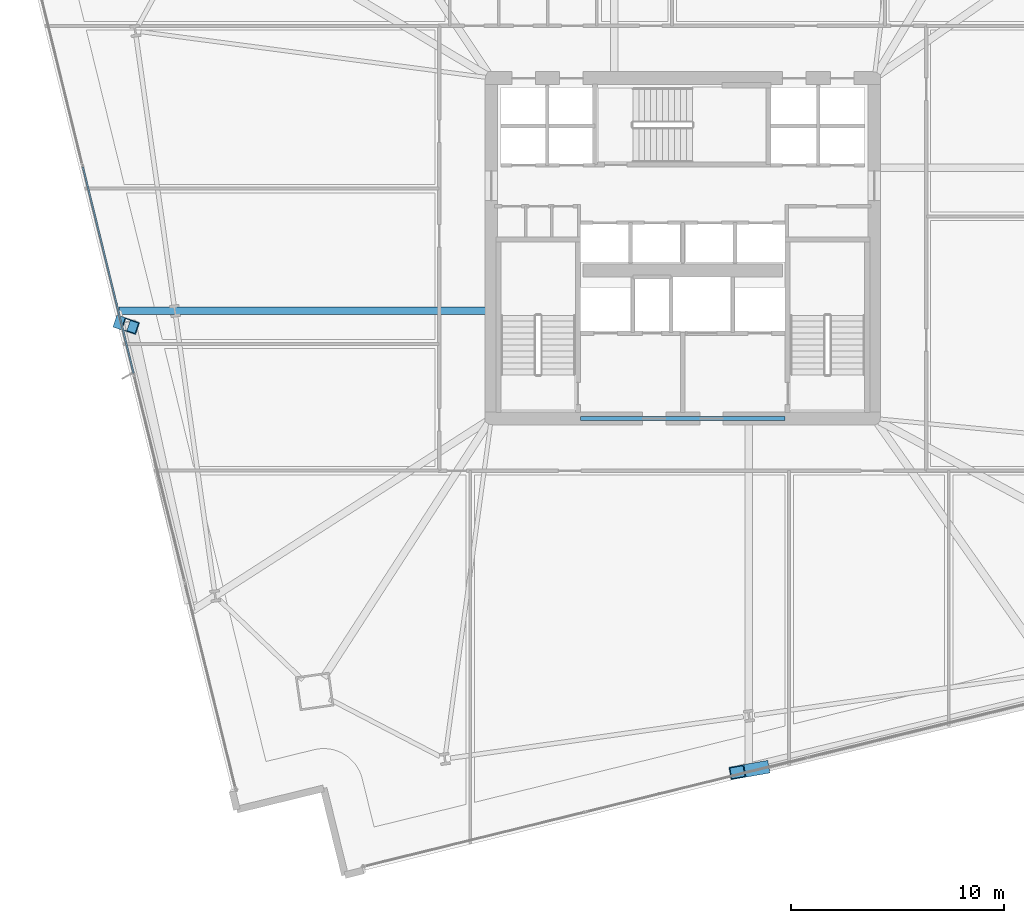
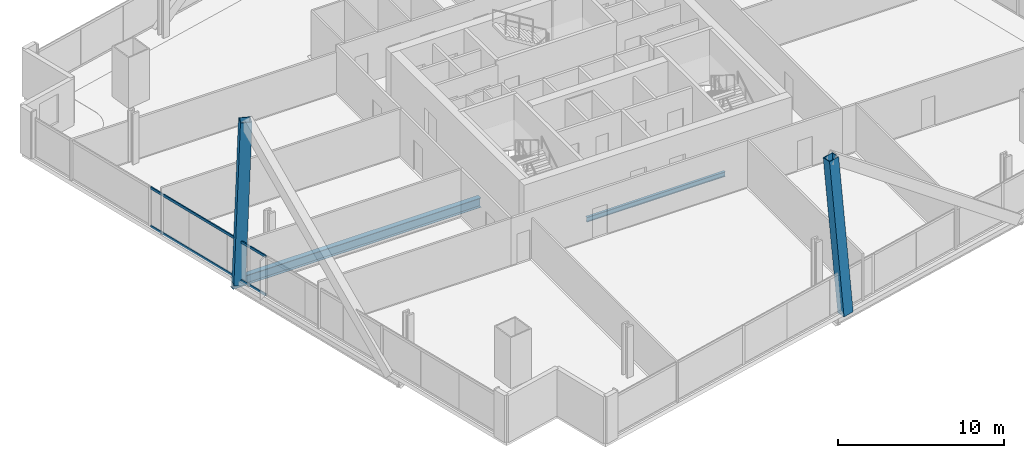
# One storey, part 6 of 32: 4 members, 2 beams, 1 element without a shape of its own.
"""IFC4 building model written with IfcOpenShell, lengths in metres."""

from ifc_helpers import new_model, si_unit, direction, frame, origin, origin_2d, place, context, subcontext, project, spatial, hollow_rectangle, i_section, extrude, material, material_profile, profile_set, type_object, element, aggregate, save


model = new_model("IFC4")

# Units and contexts
model_context = context("Model", 3, precision=1e-05, world=origin(), true_north=direction((0.0, 1.0)))
body_context = subcontext(model_context, "Body", "Model", "MODEL_VIEW")
ifc_project = project(units=[si_unit("LENGTHUNIT", "METRE"), si_unit("AREAUNIT", "SQUARE_METRE"), si_unit("VOLUMEUNIT", "CUBIC_METRE"), si_unit("PLANEANGLEUNIT", "RADIAN"), si_unit("MASSUNIT", "GRAM", prefix="KILO")], contexts=[model_context])

# Site, building, storey
site_placement = place(None, origin())
site = spatial("IfcSite", under=ifc_project, at=site_placement, CompositionType="ELEMENT")
building_placement = place(site_placement, origin())
building = spatial("IfcBuilding", under=site, at=building_placement, Name="Haldenkirk Collegiate Tower", CompositionType="ELEMENT")
storey_placement = place(building_placement, frame((0.0, 0.0, 73.949951171875)))
storey = spatial("IfcBuildingStorey", under=building, at=storey_placement, Name="L17", CompositionType="ELEMENT", Elevation=73.949951171875)

# Beams
ifc_material_1 = material(Name="Steel ASTM A992 Grade 50", Category="steel")
ifc_material_profile_1 = material_profile(ifc_material_1, i_section(OverallWidth=0.35498046875, OverallDepth=0.696044921875, WebThickness=0.015380859375, FlangeThickness=0.02490234375, at=origin_2d()), Name="W27X146")
ifc_profile_set_1 = profile_set([ifc_material_profile_1], Name="Steel ASTM A992 Grade 50")
beam_type_1 = type_object("IfcBeamType", Name="BM-GIRDER-W27X146", PredefinedType="BEAM", material=ifc_profile_set_1)
beam_1_placement = place(storey_placement, frame((9.50830078125, 23.052978515625, -0.657958984375), z_axis=(1.0, 0.0, 0.0), x_axis=(0.0, 1.0, 0.0)))
element("IfcBeam", 1, at=beam_1_placement, inside=storey, type_object=beam_type_1, Name="L17 primary floor girder 15", PredefinedType="BEAM", context=body_context, shape_type="SweptSolid", body=[
    extrude(i_section(OverallWidth=0.35498046875, OverallDepth=0.696044921875, WebThickness=0.015380859375, FlangeThickness=0.02490234375, at=origin_2d()), origin(), (0.0, 0.0, 1.0), 17.211669921875),
])
ifc_material_profile_2 = material_profile(ifc_material_1, i_section(OverallWidth=0.1708984375, OverallDepth=0.35595703125, WebThickness=0.007080078125, FlangeThickness=0.01171875, at=origin_2d()), Name="W14X34")
ifc_profile_set_2 = profile_set([ifc_material_profile_2], Name="Steel ASTM A992 Grade 50")
beam_type_2 = type_object("IfcBeamType", Name="BM-LINTEL-W14X34", PredefinedType="LINTEL", material=ifc_profile_set_2)
beam_2_placement = place(storey_placement, frame((31.199951171875, 18.0, -0.488037109375), z_axis=(1.0, 0.0, 0.0), x_axis=(0.0, 1.0, 0.0)))
element("IfcBeam", 2, at=beam_2_placement, inside=storey, type_object=beam_type_2, Name="L17 south core coupling lintel", PredefinedType="LINTEL", context=body_context, shape_type="SweptSolid", body=[
    extrude(i_section(OverallWidth=0.1708984375, OverallDepth=0.35595703125, WebThickness=0.007080078125, FlangeThickness=0.01171875, at=origin_2d()), origin(), (0.0, 0.0, 1.0), 9.60009765625),
])

# Curtain wall, members
ifc_material_2 = material(Name="Anodised architectural bronze aluminium", Category="aluminium")
curtain_wall_type = type_object("IfcCurtainWallType", Name="CW-SYS1-CONVEX-LOW", PredefinedType="USERDEFINED", material=ifc_material_2)
curtain_wall_placement = place(storey_placement, origin())
curtain_wall = element("IfcCurtainWall", 3, at=curtain_wall_placement, inside=storey, type_object=curtain_wall_type, Name="L17 Lower tower convex bronze-framed unitised curtain wall", ObjectType="UNITISED CURTAIN WALL", PredefinedType="USERDEFINED")
ifc_material_profile_3 = material_profile(ifc_material_2, hollow_rectangle(XDim=0.080078125, YDim=0.179931640625, WallThickness=0.0048828125, at=origin_2d()), Name="CW-TRN-1A")
ifc_profile_set_3 = profile_set([ifc_material_profile_3], Name="Anodised architectural bronze aluminium")
member_type_1 = type_object("IfcMemberType", Name="CW-TRN-1A", PredefinedType="USERDEFINED", material=ifc_profile_set_3)
member_1_placement = place(storey_placement, frame((10.18603515625, 20.12548828125, 0.0400390625), z_axis=(-0.238525139697, 0.97113632294, 0.0), x_axis=(-0.97113632294, -0.238525139697, 0.0)))
member_1 = element("IfcMember", 4, at=member_1_placement, type_object=member_type_1, Name="CW-1A transom 3.1", ObjectType="TRANSOM", PredefinedType="USERDEFINED", context=body_context, shape_type="SweptSolid", body=[
    extrude(hollow_rectangle(XDim=0.080078125, YDim=0.179931640625, WallThickness=0.0048828125, at=origin_2d()), origin(), (0.0, 0.0, 1.0), 9.98876953125),
])
member_2_placement = place(storey_placement, frame((10.18603515625, 20.12548828125, 2.85107421875), z_axis=(-0.238525139697, 0.97113632294, 0.0), x_axis=(-0.97113632294, -0.238525139697, 0.0)))
member_2 = element("IfcMember", 5, at=member_2_placement, type_object=member_type_1, Name="CW-1A transom 3.2", ObjectType="TRANSOM", PredefinedType="USERDEFINED", context=body_context, shape_type="SweptSolid", body=[
    extrude(hollow_rectangle(XDim=0.080078125, YDim=0.179931640625, WallThickness=0.0048828125, at=origin_2d()), origin(), (0.0, 0.0, 1.0), 9.98876953125),
])
aggregate(curtain_wall, [member_1, member_2])

# Members
ifc_material_3 = material(Name="Steel ASTM A572 Grade 50", Category="steel")
ifc_material_profile_4 = material_profile(ifc_material_3, hollow_rectangle(XDim=0.60009765625, YDim=0.719970703125, WallThickness=0.044921875, at=origin_2d()), Name="BOX720X600X45")
ifc_profile_set_4 = profile_set([ifc_material_profile_4], Name="Steel ASTM A572 Grade 50")
member_type_2 = type_object("IfcMemberType", Name="MBR-MEGABRACE-BOX720X600X45", PredefinedType="BRACE", material=ifc_profile_set_4)
member_3_placement = place(storey_placement, frame((39.69140625, 1.5703125, -0.320068359375), z_axis=(-0.094124475377, -0.016480462493, 0.995424018944), x_axis=(0.172468461192, -0.98501504044, 0.0)))
element("IfcMember", 6, at=member_3_placement, inside=storey, type_object=member_type_2, Name="Perimeter Mega Brace Z1 L17-L19 SL", PredefinedType="BRACE", context=body_context, shape_type="SweptSolid", body=[
    extrude(hollow_rectangle(XDim=0.60009765625, YDim=0.719970703125, WallThickness=0.044921875, at=origin_2d()), origin(), (0.0, 0.0, 1.0), 11.954833984375),
])
member_4_placement = place(storey_placement, frame((9.6513671875, 22.47021484375, -0.320068359375), z_axis=(0.032416463892, -0.010866999281, 0.999415369701), x_axis=(0.31784652354, 0.948142176824, 0.0)))
element("IfcMember", 7, at=member_4_placement, inside=storey, type_object=member_type_2, Name="Perimeter Mega Brace Z1 L17-L19 WL", PredefinedType="BRACE", context=body_context, shape_type="SweptSolid", body=[
    extrude(hollow_rectangle(XDim=0.60009765625, YDim=0.719970703125, WallThickness=0.044921875, at=origin_2d()), origin(), (0.0, 0.0, 1.0), 11.9072265625),
])

save(model, "model.ifc")
